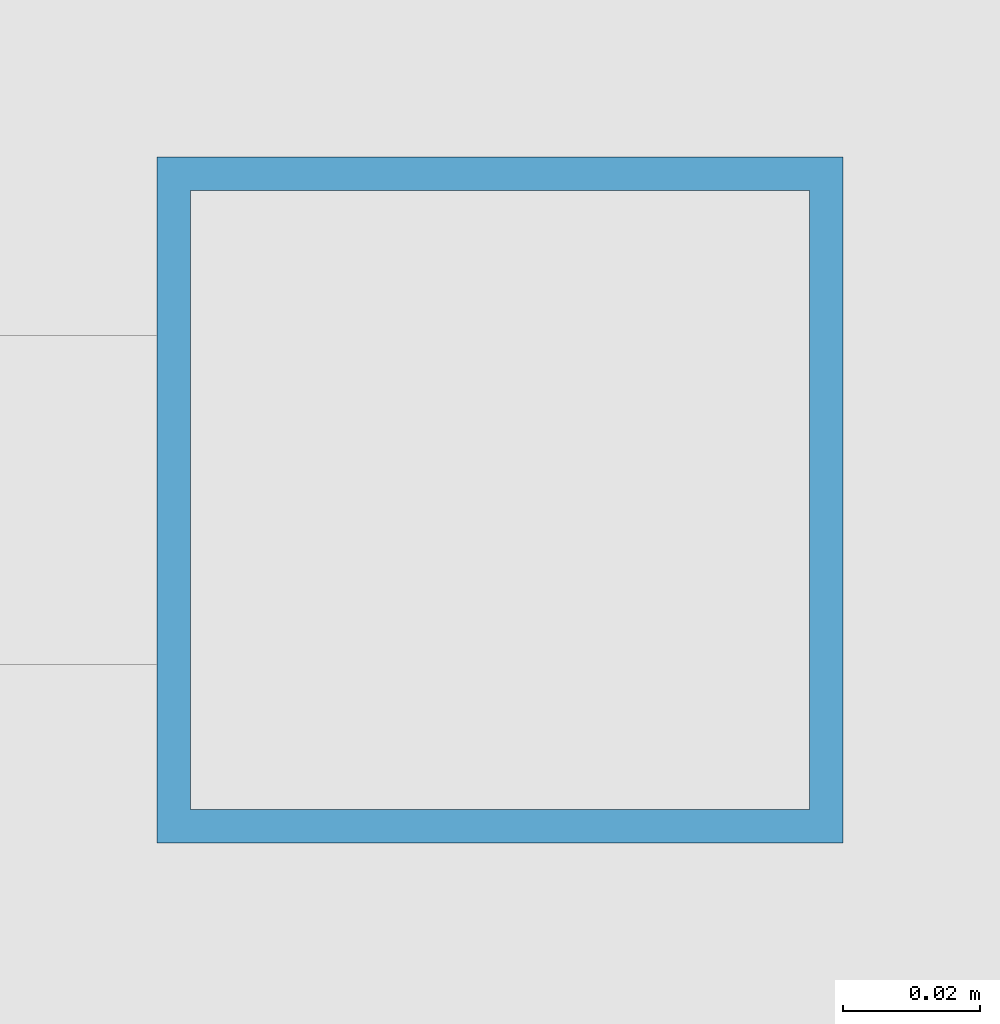
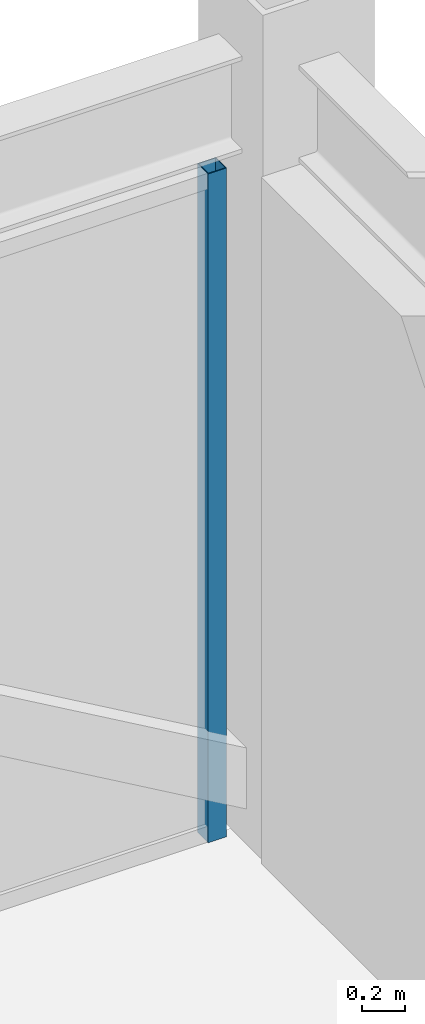
# One storey, part 22 of 27: 1 member, 1 element without a shape of its own.
"""IFC4 building model written with IfcOpenShell, lengths in metres."""

from ifc_helpers import new_model, si_unit, direction, frame, origin, origin_2d, place, context, subcontext, project, spatial, hollow_rectangle, extrude, source, transform, mapped, material, material_profile, profile_set, type_object, element, aggregate, save


model = new_model("IFC4")

# Units and contexts
model_context = context("Model", 3, precision=1e-05, world=origin(), true_north=direction((0.0, 1.0)))
body_context = subcontext(model_context, "Body", "Model", "MODEL_VIEW")
ifc_project = project(units=[si_unit("LENGTHUNIT", "METRE"), si_unit("AREAUNIT", "SQUARE_METRE"), si_unit("VOLUMEUNIT", "CUBIC_METRE"), si_unit("PLANEANGLEUNIT", "RADIAN"), si_unit("MASSUNIT", "GRAM", prefix="KILO")], contexts=[model_context])

# Site, building, storey
site_placement = place(None, origin())
site = spatial("IfcSite", under=ifc_project, at=site_placement, CompositionType="ELEMENT")
building_placement = place(site_placement, origin())
building = spatial("IfcBuilding", under=site, at=building_placement, Name="Khorayat Bourse Tower", CompositionType="ELEMENT")
storey_placement = place(building_placement, frame((0.0, 0.0, 394.699951171875)))
storey = spatial("IfcBuildingStorey", under=building, at=storey_placement, Name="L93", CompositionType="ELEMENT", Elevation=394.699951171875)

# Curtain wall, member
ifc_material = material(Name="Aluminium EN AW-6063 T6", Category="aluminium")
curtain_wall_type = type_object("IfcCurtainWallType", Name="CW-SYS-07", PredefinedType="NOTDEFINED", material=ifc_material)
curtain_wall_placement = place(storey_placement, origin())
curtain_wall = element("IfcCurtainWall", 1, at=curtain_wall_placement, inside=storey, type_object=curtain_wall_type, Name="L93 Curtain Wall CW-L93-N1", PredefinedType="NOTDEFINED")
ifc_material_profile = material_profile(ifc_material, hollow_rectangle(XDim=0.10009765625, YDim=0.10009765625, WallThickness=0.0048828125, at=origin_2d()), Name="ALU 100x100x5")
ifc_profile_set = profile_set([ifc_material_profile], Name="Aluminium EN AW-6063 T6")
member_type = type_object("IfcMemberType", Name="CWM-LANTERN-100", PredefinedType="MULLION", material=ifc_profile_set)
shared_shape = source(origin(), body_context, "Body", "SweptSolid", [
    extrude(hollow_rectangle(XDim=0.10009765625, YDim=0.10009765625, WallThickness=0.0048828125, at=origin_2d()), origin(), (0.0, 0.0, 1.0), 3.800048828125),
])
member_placement = place(storey_placement, frame((17.60009765625, 24.0, 0.0), z_axis=(0.0, 0.0, 1.0), x_axis=(0.0, 1.0, 0.0)))
member = element("IfcMember", 2, at=member_placement, type_object=member_type, Name="CW-L93-N1 Vertical Mullion 3", PredefinedType="MULLION", context=body_context, shape_type="MappedRepresentation", body=[
    mapped(shared_shape, transform((0.0, 0.0, 0.0), scale=1.0)),
])
aggregate(curtain_wall, [member])

save(model, "model.ifc")
